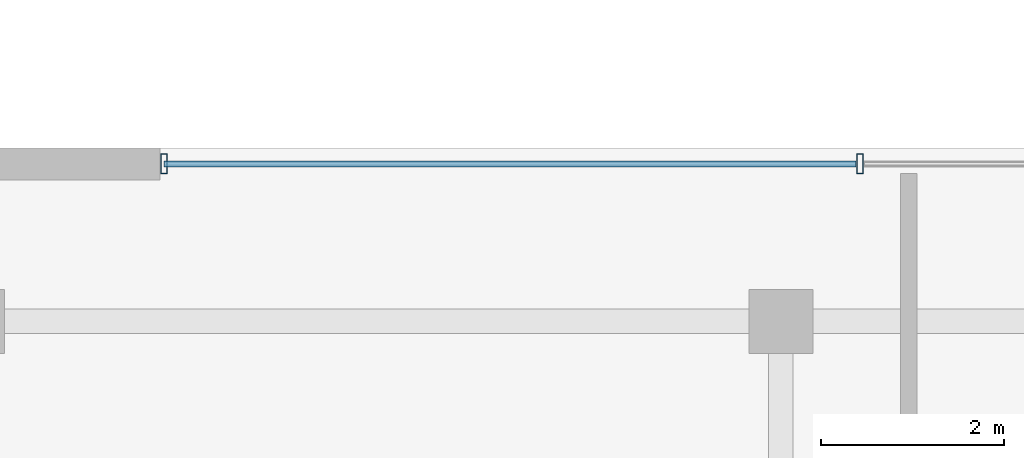
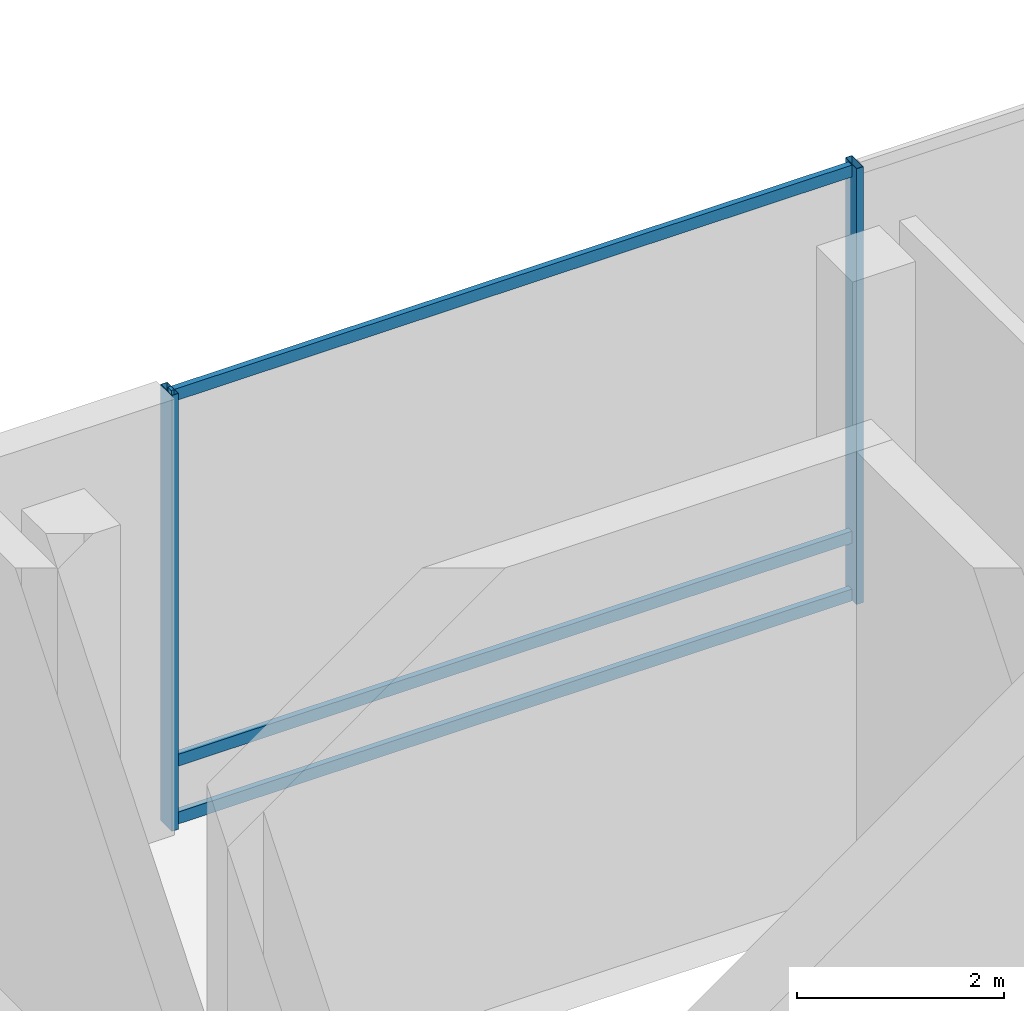
# One storey, part 12 of 25: 5 members, 1 element without a shape of its own.
"""IFC4 building model written with IfcOpenShell, lengths in metres."""

from ifc_helpers import new_model, si_unit, direction, frame, origin, origin_2d, place, context, subcontext, project, spatial, hollow_rectangle, extrude, material, layer, layer_set, material_profile, profile_set, type_object, element, aggregate, save


model = new_model("IFC4")

# Units and contexts
model_context = context("Model", 3, precision=1e-05, world=origin(), true_north=direction((0.0, 1.0)))
body_context = subcontext(model_context, "Body", "Model", "MODEL_VIEW")
ifc_project = project(units=[si_unit("LENGTHUNIT", "METRE"), si_unit("AREAUNIT", "SQUARE_METRE"), si_unit("VOLUMEUNIT", "CUBIC_METRE"), si_unit("PLANEANGLEUNIT", "RADIAN"), si_unit("MASSUNIT", "GRAM", prefix="KILO")], contexts=[model_context])

# Site, building, storey
site_placement = place(None, origin())
site = spatial("IfcSite", under=ifc_project, at=site_placement, CompositionType="ELEMENT")
building_placement = place(site_placement, origin())
building = spatial("IfcBuilding", under=site, at=building_placement, Name="Barlavira Tower and Art Museum", CompositionType="ELEMENT")
storey_placement = place(building_placement, frame((0.0, 0.0, 22.199951171875)))
storey = spatial("IfcBuildingStorey", under=building, at=storey_placement, Name="L04", CompositionType="ELEMENT", Elevation=22.199951171875)

# Curtain wall, members
ifc_material_1 = material(Name="Low-iron coastal laminated glass", Category="glass")
ifc_layer = layer(ifc_material_1, 0.199951171875, Name="Low-iron coastal laminated glass")
ifc_layer_set = layer_set([ifc_layer], Name="Low-iron coastal laminated glass")
curtain_wall_type = type_object("IfcCurtainWallType", Name="Coastal Art Museum North-Light Curtain Wall", PredefinedType="NOTDEFINED", material=ifc_layer_set)
curtain_wall_placement = place(storey_placement, origin())
curtain_wall = element("IfcCurtainWall", 1, at=curtain_wall_placement, inside=storey, type_object=curtain_wall_type, Name="L04 Curtain Wall CW6-MUS-L04-N", PredefinedType="NOTDEFINED")
ifc_material_2 = material(Name="Pale anodised aluminium", Category="aluminium")
ifc_material_profile_1 = material_profile(ifc_material_2, hollow_rectangle(XDim=0.074951171875, YDim=0.219970703125, WallThickness=0.0048828125, at=origin_2d()), Name="ALU-MULL 75x220x5")
ifc_profile_set_1 = profile_set([ifc_material_profile_1], Name="Pale anodised aluminium")
member_type_1 = type_object("IfcMemberType", Name="Curtain Wall Heavy Pale-Metal Mullion 75x220", PredefinedType="MULLION", material=ifc_profile_set_1)
member_1_placement = place(storey_placement, frame((39.666748046875, 23.824951171875, 0.0), z_axis=(0.0, 0.0, 1.0), x_axis=(-1.0, 0.0, 0.0)))
member_1 = element("IfcMember", 2, at=member_1_placement, type_object=member_type_1, Name="CW6-MUS-L04-N Mullion 2", PredefinedType="MULLION", context=body_context, shape_type="SweptSolid", body=[
    extrude(hollow_rectangle(XDim=0.074951171875, YDim=0.219970703125, WallThickness=0.0048828125, at=origin_2d()), origin(), (0.0, 0.0, 1.0), 5.130126953125),
])
member_2_placement = place(storey_placement, frame((32.044921875, 23.824951171875, 0.0), z_axis=(0.0, 0.0, 1.0), x_axis=(-1.0, 0.0, 0.0)))
member_2 = element("IfcMember", 3, at=member_2_placement, type_object=member_type_1, Name="CW6-MUS-L04-N Mullion 3", PredefinedType="MULLION", context=body_context, shape_type="SweptSolid", body=[
    extrude(hollow_rectangle(XDim=0.074951171875, YDim=0.219970703125, WallThickness=0.0048828125, at=origin_2d()), origin(), (0.0, 0.0, 1.0), 5.130126953125),
])
ifc_material_profile_2 = material_profile(ifc_material_2, hollow_rectangle(XDim=0.06494140625, YDim=0.139892578125, WallThickness=0.00390625, at=origin_2d()), Name="ALU-TRAN 65x140x4")
ifc_profile_set_2 = profile_set([ifc_material_profile_2], Name="Pale anodised aluminium")
member_type_2 = type_object("IfcMemberType", Name="Curtain Wall Pale-Metal Transom 65x140", PredefinedType="USERDEFINED", material=ifc_profile_set_2)
member_3_placement = place(storey_placement, frame((39.62158203125, 23.824951171875, 0.070068359375), z_axis=(-1.0, 0.0, 0.0), x_axis=(0.0, -1.0, 0.0)))
member_3 = element("IfcMember", 4, at=member_3_placement, type_object=member_type_2, Name="CW6-MUS-L04-N Transom 2.1", ObjectType="TRANSOM", PredefinedType="USERDEFINED", context=body_context, shape_type="SweptSolid", body=[
    extrude(hollow_rectangle(XDim=0.06494140625, YDim=0.139892578125, WallThickness=0.00390625, at=origin_2d()), origin(), (0.0, 0.0, 1.0), 7.57666015625),
])
member_4_placement = place(storey_placement, frame((39.62158203125, 23.824951171875, 0.75), z_axis=(-1.0, 0.0, 0.0), x_axis=(0.0, -1.0, 0.0)))
member_4 = element("IfcMember", 5, at=member_4_placement, type_object=member_type_2, Name="CW6-MUS-L04-N Transom 2.2", ObjectType="TRANSOM", PredefinedType="USERDEFINED", context=body_context, shape_type="SweptSolid", body=[
    extrude(hollow_rectangle(XDim=0.06494140625, YDim=0.139892578125, WallThickness=0.00390625, at=origin_2d()), origin(), (0.0, 0.0, 1.0), 7.57666015625),
])
member_5_placement = place(storey_placement, frame((39.62158203125, 23.824951171875, 5.06005859375), z_axis=(-1.0, 0.0, 0.0), x_axis=(0.0, -1.0, 0.0)))
member_5 = element("IfcMember", 6, at=member_5_placement, type_object=member_type_2, Name="CW6-MUS-L04-N Transom 2.3", ObjectType="TRANSOM", PredefinedType="USERDEFINED", context=body_context, shape_type="SweptSolid", body=[
    extrude(hollow_rectangle(XDim=0.06494140625, YDim=0.139892578125, WallThickness=0.00390625, at=origin_2d()), origin(), (0.0, 0.0, 1.0), 7.57666015625),
])
aggregate(curtain_wall, [member_1, member_2, member_3, member_4, member_5])

save(model, "model.ifc")
